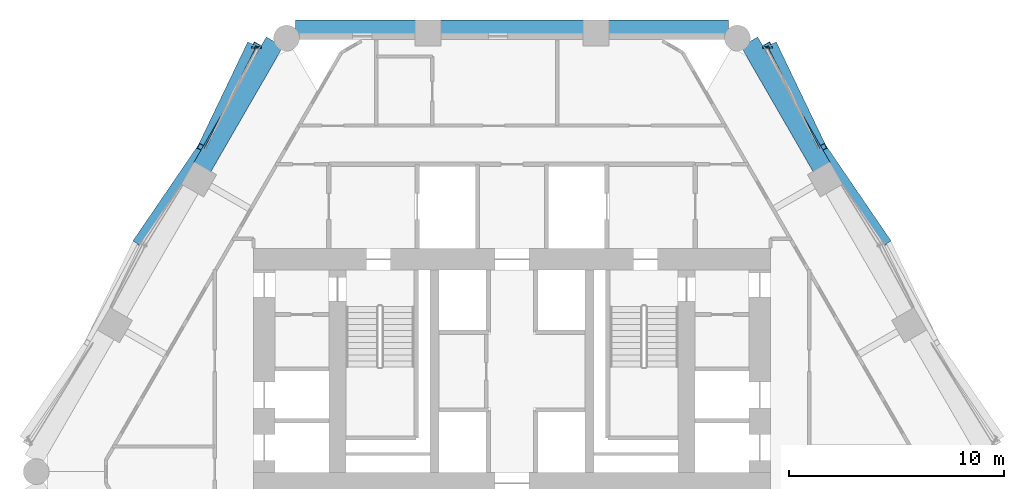
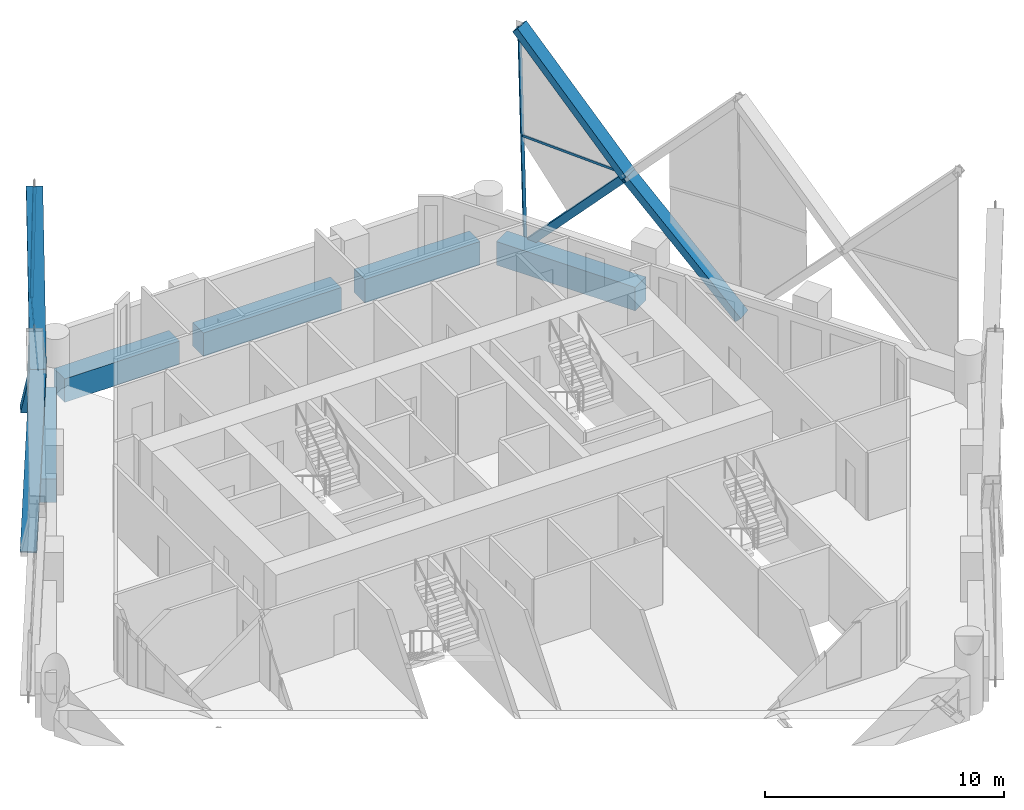
# One storey, part 9 of 21: 12 members, 5 beams, 4 elements without a shape of their own.
"""IFC4 building model written with IfcOpenShell, lengths in metres."""

from ifc_helpers import new_model, si_unit, direction, frame, origin, origin_2d, place, context, subcontext, project, spatial, rectangle, hollow_rectangle, extrude, material, material_profile, profile_set, type_object, element, aggregate, save


model = new_model("IFC4")

# Units and contexts
model_context = context("Model", 3, precision=1e-05, world=origin(), true_north=direction((0.0, 1.0)))
body_context = subcontext(model_context, "Body", "Model", "MODEL_VIEW")
ifc_project = project(units=[si_unit("LENGTHUNIT", "METRE"), si_unit("AREAUNIT", "SQUARE_METRE"), si_unit("VOLUMEUNIT", "CUBIC_METRE"), si_unit("PLANEANGLEUNIT", "RADIAN"), si_unit("MASSUNIT", "GRAM", prefix="KILO")], contexts=[model_context])

# Site, building, storey
site_placement = place(None, origin())
site = spatial("IfcSite", under=ifc_project, at=site_placement, CompositionType="ELEMENT")
building_placement = place(site_placement, origin())
building = spatial("IfcBuilding", under=site, at=building_placement, Name="Ostrander Bayou Hotel Tower", CompositionType="ELEMENT")
storey_placement = place(building_placement, frame((0.0, 0.0, 116.0)))
storey = spatial("IfcBuildingStorey", under=building, at=storey_placement, Name="L28", CompositionType="ELEMENT", Elevation=116.0)

# Curtain wall, members
ifc_material_1 = material(Name="Aluminium and clear glass", Category="aluminium")
curtain_wall_type = type_object("IfcCurtainWallType", Name="CW-LAT lattice glazing", PredefinedType="NOTDEFINED", material=ifc_material_1)
curtain_wall_1_placement = place(storey_placement, origin())
curtain_wall_1 = element("IfcCurtainWall", 1, at=curtain_wall_1_placement, inside=storey, type_object=curtain_wall_type, Name="CW-LAT L28 NW 1", PredefinedType="NOTDEFINED")
ifc_material_2 = material(Name="Aluminium", Category="aluminium")
ifc_material_profile_1 = material_profile(ifc_material_2, hollow_rectangle(XDim=0.06005859375, YDim=0.159912109375, WallThickness=0.00390625, at=origin_2d()))
ifc_profile_set_1 = profile_set([ifc_material_profile_1], Name="Aluminium")
member_type_1 = type_object("IfcMemberType", Name="CW-LA mullion 60 x 160 mm", PredefinedType="MULLION", material=ifc_profile_set_1)
member_1_placement = place(storey_placement, frame((-12.00341796875, 19.0185546875, -0.60009765625), z_axis=(0.025165638507, 0.0, 0.999683295168), x_axis=(0.0, 1.0, 0.0)))
member_1 = element("IfcMember", 2, at=member_1_placement, type_object=member_type_1, Name="CW-LAT mullion 1", PredefinedType="MULLION", context=body_context, shape_type="SweptSolid", body=[
    extrude(hollow_rectangle(XDim=0.06005859375, YDim=0.159912109375, WallThickness=0.00390625, at=origin_2d()), origin(), (0.0, 0.0, 1.0), 5.626708984375),
])
member_2_placement = place(storey_placement, frame((-11.86181640625, 19.0185546875, 5.02490234375), z_axis=(0.025208999989, 0.0, 0.999682202662), x_axis=(0.0, 1.0, 0.0)))
member_2 = element("IfcMember", 3, at=member_2_placement, type_object=member_type_1, Name="CW-LAT mullion 2", PredefinedType="MULLION", context=body_context, shape_type="SweptSolid", body=[
    extrude(hollow_rectangle(XDim=0.06005859375, YDim=0.159912109375, WallThickness=0.00390625, at=origin_2d()), origin(), (0.0, 0.0, 1.0), 5.626708984375),
])
aggregate(curtain_wall_1, [member_1, member_2])

curtain_wall_2_placement = place(storey_placement, origin())
curtain_wall_2 = element("IfcCurtainWall", 4, at=curtain_wall_2_placement, inside=storey, type_object=curtain_wall_type, Name="CW-LAT L28 NE 1", PredefinedType="NOTDEFINED")
member_3_placement = place(storey_placement, frame((12.00341796875, 19.0185546875, -0.60009765625), z_axis=(-0.025165638507, 0.0, 0.999683295168), x_axis=(0.0, -1.0, 0.0)))
member_3 = element("IfcMember", 5, at=member_3_placement, type_object=member_type_1, Name="CW-LAT mullion 8", PredefinedType="MULLION", context=body_context, shape_type="SweptSolid", body=[
    extrude(hollow_rectangle(XDim=0.06005859375, YDim=0.159912109375, WallThickness=0.00390625, at=origin_2d()), origin(), (0.0, 0.0, 1.0), 5.626708984375),
])
member_4_placement = place(storey_placement, frame((11.86181640625, 19.0185546875, 5.02490234375), z_axis=(-0.025208999989, 0.0, 0.999682202662), x_axis=(0.0, -1.0, 0.0)))
member_4 = element("IfcMember", 6, at=member_4_placement, type_object=member_type_1, Name="CW-LAT mullion 9", PredefinedType="MULLION", context=body_context, shape_type="SweptSolid", body=[
    extrude(hollow_rectangle(XDim=0.06005859375, YDim=0.159912109375, WallThickness=0.00390625, at=origin_2d()), origin(), (0.0, 0.0, 1.0), 5.626708984375),
])
aggregate(curtain_wall_2, [member_3, member_4])

# Curtain wall, member
curtain_wall_3_placement = place(storey_placement, origin())
curtain_wall_3 = element("IfcCurtainWall", 7, at=curtain_wall_3_placement, inside=storey, type_object=curtain_wall_type, Name="CW-LAT L28 NW 2", PredefinedType="NOTDEFINED")
ifc_material_3 = material(Name="Aluminium", Category="aluminium")
ifc_material_profile_2 = material_profile(ifc_material_3, hollow_rectangle(XDim=0.06005859375, YDim=0.1201171875, WallThickness=0.00390625, at=origin_2d()))
ifc_profile_set_2 = profile_set([ifc_material_profile_2], Name="Aluminium")
member_type_2 = type_object("IfcMemberType", Name="CW-LA transom 60 x 120 mm", PredefinedType="USERDEFINED", material=ifc_profile_set_2)
member_5_placement = place(storey_placement, frame((-11.86181640625, 19.0185546875, 5.02490234375), z_axis=(-0.454268806838, -0.890864664881, 0.0), x_axis=(0.890864664881, -0.454268806838, 0.0)))
member_5 = element("IfcMember", 8, at=member_5_placement, type_object=member_type_2, Name="CW-LAT transom 3", ObjectType="TRANSOM", PredefinedType="USERDEFINED", context=body_context, shape_type="SweptSolid", body=[
    extrude(hollow_rectangle(XDim=0.06005859375, YDim=0.1201171875, WallThickness=0.00390625, at=origin_2d()), origin(), (0.0, 0.0, 1.0), 5.277099609375),
])
aggregate(curtain_wall_3, [member_5])

curtain_wall_4_placement = place(storey_placement, origin())
curtain_wall_4 = element("IfcCurtainWall", 9, at=curtain_wall_4_placement, inside=storey, type_object=curtain_wall_type, Name="CW-LAT L28 NE 2", PredefinedType="NOTDEFINED")
member_6_placement = place(storey_placement, frame((11.86181640625, 19.0185546875, 5.02490234375), z_axis=(0.454268806838, -0.890864664881, 0.0), x_axis=(0.890864664881, 0.454268806838, 0.0)))
member_6 = element("IfcMember", 10, at=member_6_placement, type_object=member_type_2, Name="CW-LAT transom 10", ObjectType="TRANSOM", PredefinedType="USERDEFINED", context=body_context, shape_type="SweptSolid", body=[
    extrude(hollow_rectangle(XDim=0.06005859375, YDim=0.1201171875, WallThickness=0.00390625, at=origin_2d()), origin(), (0.0, 0.0, 1.0), 5.277099609375),
])
aggregate(curtain_wall_4, [member_6])

# Members
ifc_material_4 = material(Name="Steel ASTM A572 Gr 50", Category="steel")
ifc_material_profile_3 = material_profile(ifc_material_4, hollow_rectangle(XDim=0.699951171875, YDim=0.35009765625, WallThickness=0.02490234375, at=origin_2d()))
ifc_profile_set_3 = profile_set([ifc_material_profile_3], Name="Steel ASTM A572 Gr 50")
member_type_3 = type_object("IfcMemberType", Name="LT1 lattice member box 700 x 350 x 25 mm", PredefinedType="BRACE", material=ifc_profile_set_3)
member_7_placement = place(storey_placement, frame((-14.259033203125, 14.3173828125, 5.02490234375), z_axis=(0.294081465733, 0.61292701636, -0.733373413841), x_axis=(-0.901593916863, 0.432583412853, 0.0)))
element("IfcMember", 11, at=member_7_placement, inside=storey, type_object=member_type_3, Name="LT1 L28 NW 1", PredefinedType="BRACE", context=body_context, shape_type="SweptSolid", body=[
    extrude(hollow_rectangle(XDim=0.699951171875, YDim=0.35009765625, WallThickness=0.02490234375, at=origin_2d()), origin(), (0.0, 0.0, 1.0), 7.669921875),
])
member_8_placement = place(storey_placement, frame((-14.259033203125, 14.3173828125, 5.02490234375), z_axis=(0.327277916771, 0.605967650514, 0.72504646177), x_axis=(-0.879871772823, 0.475211177677, 0.0)))
element("IfcMember", 12, at=member_8_placement, inside=storey, type_object=member_type_3, Name="LT1 L28 NW 2", PredefinedType="BRACE", context=body_context, shape_type="SweptSolid", body=[
    extrude(hollow_rectangle(XDim=0.699951171875, YDim=0.35009765625, WallThickness=0.02490234375, at=origin_2d()), origin(), (0.0, 0.0, 1.0), 7.758056640625),
])
for number, where, z_axis, x_axis, name in (
    (13, (-14.259033203125, 14.3173828125, 5.02490234375), (-0.385945220851, -0.565584833113, -0.72880730173), (0.826010303398, -0.563655017436, 0.0), "LT1 L28 NW 3"),
    (14, (14.259033203125, 14.3173828125, 5.02490234375), (0.385945220851, -0.565584833113, -0.72880730173), (0.826010303398, 0.563655017436, 0.0), "LT1 L28 NE 5"),
):
    element("IfcMember", number, at=place(storey_placement, frame(where, z_axis=z_axis, x_axis=x_axis)), inside=storey, type_object=member_type_3, Name=name, PredefinedType="BRACE", context=body_context, shape_type="SweptSolid", body=[
        extrude(hollow_rectangle(XDim=0.699951171875, YDim=0.35009765625, WallThickness=0.02490234375, at=origin_2d()), origin(), (0.0, 0.0, 1.0), 7.718017578125),
    ])
member_9_placement = place(storey_placement, frame((14.259033203125, 14.3173828125, 5.02490234375), z_axis=(-0.294081465733, 0.61292701636, -0.733373413841), x_axis=(-0.901593916863, -0.432583412853, 0.0)))
element("IfcMember", 15, at=member_9_placement, inside=storey, type_object=member_type_3, Name="LT1 L28 NE 7", PredefinedType="BRACE", context=body_context, shape_type="SweptSolid", body=[
    extrude(hollow_rectangle(XDim=0.699951171875, YDim=0.35009765625, WallThickness=0.02490234375, at=origin_2d()), origin(), (0.0, 0.0, 1.0), 7.669921875),
])
member_10_placement = place(storey_placement, frame((14.259033203125, 14.3173828125, 5.02490234375), z_axis=(-0.327277916771, 0.605967650514, 0.72504646177), x_axis=(-0.879871772823, -0.475211177677, 0.0)))
element("IfcMember", 16, at=member_10_placement, inside=storey, type_object=member_type_3, Name="LT1 L28 NE 8", PredefinedType="BRACE", context=body_context, shape_type="SweptSolid", body=[
    extrude(hollow_rectangle(XDim=0.699951171875, YDim=0.35009765625, WallThickness=0.02490234375, at=origin_2d()), origin(), (0.0, 0.0, 1.0), 7.758056640625),
])

# Beams
ifc_material_5 = material(Name="Concrete f'c 70 MPa", Category="concrete")
ifc_material_profile_4 = material_profile(ifc_material_5, rectangle(XDim=0.89990234375, YDim=1.199951171875, at=origin_2d()))
ifc_profile_set_4 = profile_set([ifc_material_profile_4], Name="Concrete f'c 70 MPa")
beam_type = type_object("IfcBeamType", Name="SP2 spandrel beam 900 x 1200 mm f'c 70 MPa", PredefinedType="SPANDREL", material=ifc_profile_set_4)
beam_1_placement = place(storey_placement, frame((10.041015625, 19.85009765625, -0.60009765625), z_axis=(-1.0, 0.0, 0.0), x_axis=(0.0, -1.0, 0.0)))
element("IfcBeam", 17, at=beam_1_placement, inside=storey, type_object=beam_type, Name="SP2 L28 N-1", PredefinedType="SPANDREL", context=body_context, shape_type="SweptSolid", body=[
    extrude(rectangle(XDim=0.89990234375, YDim=1.199951171875, at=origin_2d()), origin(), (0.0, 0.0, 1.0), 5.564208984375),
])
beam_2_placement = place(storey_placement, frame((3.336669921875, 19.85009765625, -0.60009765625), z_axis=(-1.0, 0.0, 0.0), x_axis=(0.0, -1.0, 0.0)))
element("IfcBeam", 18, at=beam_2_placement, inside=storey, type_object=beam_type, Name="SP2 L28 N-2", PredefinedType="SPANDREL", context=body_context, shape_type="SweptSolid", body=[
    extrude(rectangle(XDim=0.89990234375, YDim=1.199951171875, at=origin_2d()), origin(), (0.0, 0.0, 1.0), 6.67333984375),
])
beam_3_placement = place(storey_placement, frame((-4.476806640625, 19.85009765625, -0.60009765625), z_axis=(-1.0, 0.0, 0.0), x_axis=(0.0, -1.0, 0.0)))
element("IfcBeam", 19, at=beam_3_placement, inside=storey, type_object=beam_type, Name="SP2 L28 N-3", PredefinedType="SPANDREL", context=body_context, shape_type="SweptSolid", body=[
    extrude(rectangle(XDim=0.89990234375, YDim=1.199951171875, at=origin_2d()), origin(), (0.0, 0.0, 1.0), 5.564208984375),
])
for number, where, z_axis, x_axis, name in (
    (20, (-11.017333984375, 19.286376953125, -0.60009765625), (-0.500012951941, -0.866017925849, 0.0), (0.866017925849, -0.500012951941, 0.0), "SP2 L28 NW-1"),
    (21, (14.3759765625, 13.46923828125, -0.60009765625), (-0.500012951941, 0.866017925849, 0.0), (-0.866017925849, -0.500012951941, 0.0), "SP2 L28 NE-3"),
):
    element("IfcBeam", number, at=place(storey_placement, frame(where, z_axis=z_axis, x_axis=x_axis)), inside=storey, type_object=beam_type, Name=name, PredefinedType="SPANDREL", context=body_context, shape_type="SweptSolid", body=[
        extrude(rectangle(XDim=0.89990234375, YDim=1.199951171875, at=origin_2d()), origin(), (0.0, 0.0, 1.0), 6.717041015625),
    ])

save(model, "model.ifc")
